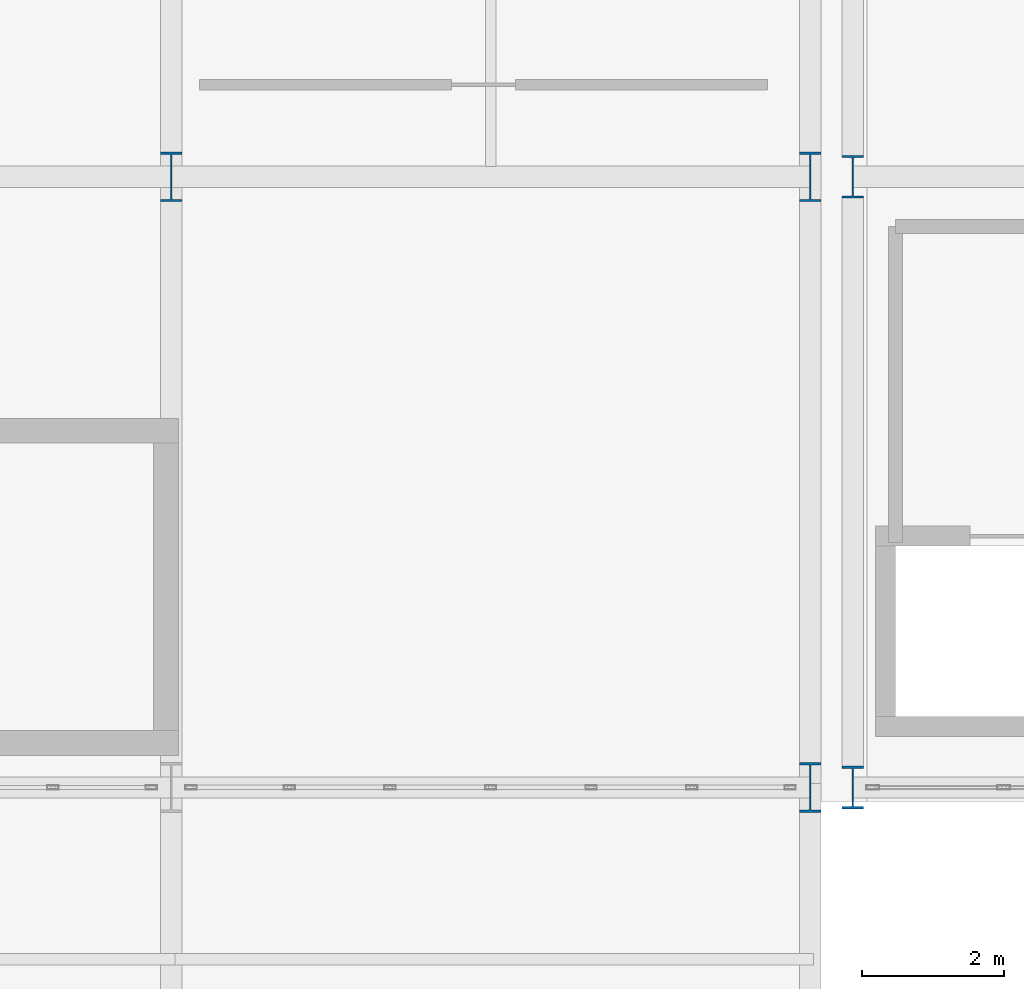
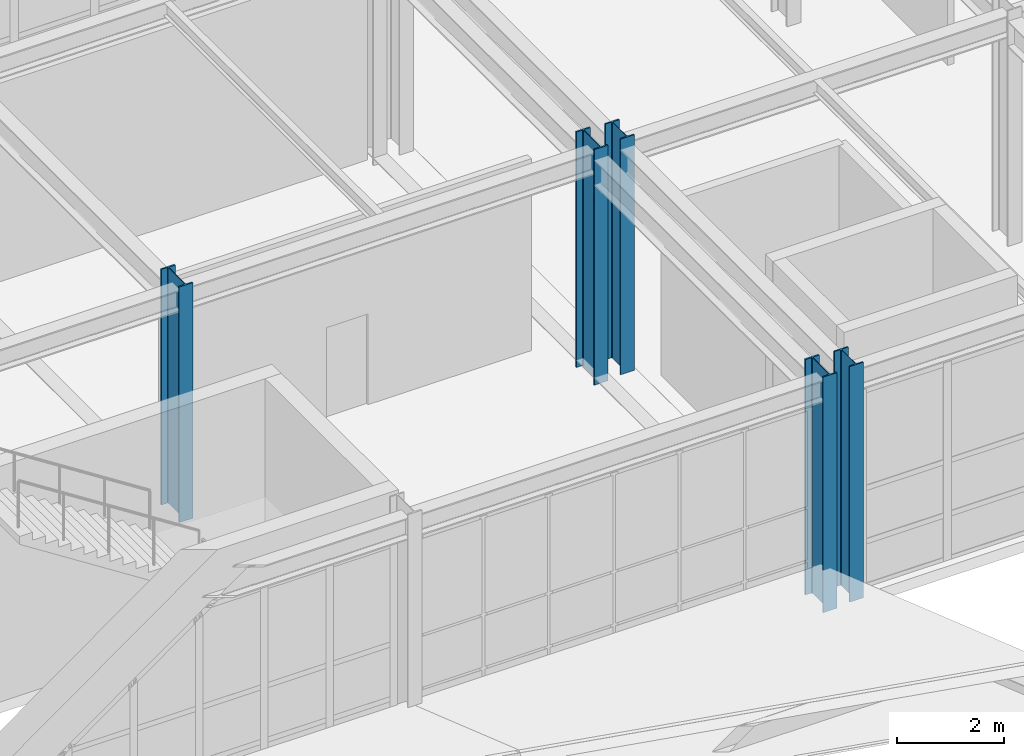
# One storey, part 8 of 239: 5 columns.
"""IFC4 building model written with IfcOpenShell, lengths in metres."""

from ifc_helpers import new_model, si_unit, direction, frame, origin, origin_2d, place, context, subcontext, project, spatial, i_section, extrude, material, material_profile, profile_set, type_object, element, save


model = new_model("IFC4")

# Units and contexts
model_context = context("Model", 3, precision=1e-05, world=origin(), true_north=direction((0.0, 1.0)))
body_context = subcontext(model_context, "Body", "Model", "MODEL_VIEW")
ifc_project = project(units=[si_unit("LENGTHUNIT", "METRE"), si_unit("AREAUNIT", "SQUARE_METRE"), si_unit("VOLUMEUNIT", "CUBIC_METRE"), si_unit("PLANEANGLEUNIT", "RADIAN"), si_unit("MASSUNIT", "GRAM", prefix="KILO")], contexts=[model_context])

# Site, building, storey
site_placement = place(None, origin())
site = spatial("IfcSite", under=ifc_project, at=site_placement, CompositionType="ELEMENT")
building_placement = place(site_placement, origin())
building = spatial("IfcBuilding", under=site, at=building_placement, Name="Kaldris Quays Convention Centre", CompositionType="ELEMENT")
storey_placement = place(building_placement, frame((0.0, 0.0, 11.39990234375)))
storey = spatial("IfcBuildingStorey", under=building, at=storey_placement, Name="L02", CompositionType="ELEMENT", Elevation=11.39990234375)

# Columns
ifc_material = material(Name="Steel S355J2", Category="steel")
ifc_material_profile_1 = material_profile(ifc_material, i_section(OverallWidth=0.300048828125, OverallDepth=0.699951171875, WebThickness=0.01708984375, FlangeThickness=0.031982421875, FilletRadius=0.027099609375, at=origin_2d()), Name="HEB 700")
ifc_profile_set_1 = profile_set([ifc_material_profile_1], Name="Steel S355J2")
column_type_1 = type_object("IfcColumnType", Name="STRUCTURAL COLUMN CL05", PredefinedType="COLUMN", material=ifc_profile_set_1)
for number, where, z_axis, x_axis, name in (
    (1, (137.0, 46.60009765625, 0.0), (0.0, 0.0, 1.0), (1.0, 0.0, 0.0), "L02 V4 Column CL05 (137.00, 46.60)"),
    (2, (146.0, 38.0, 0.0), (0.0, 0.0, 1.0), (1.0, 0.0, 0.0), "L02 V4 Column CL05 (146.00, 38.00)"),
    (3, (146.0, 46.60009765625, 0.0), (0.0, 0.0, 1.0), (1.0, 0.0, 0.0), "L02 V4 Column CL05 (146.00, 46.60)"),
):
    element("IfcColumn", number, at=place(storey_placement, frame(where, z_axis=z_axis, x_axis=x_axis)), inside=storey, type_object=column_type_1, Name=name, PredefinedType="COLUMN", context=body_context, shape_type="SweptSolid", body=[
        extrude(i_section(OverallWidth=0.300048828125, OverallDepth=0.699951171875, WebThickness=0.01708984375, FlangeThickness=0.031982421875, FilletRadius=0.027099609375, at=origin_2d()), origin(), (0.0, 0.0, 1.0), 5.400146484375),
    ])
ifc_material_profile_2 = material_profile(ifc_material, i_section(OverallWidth=0.300048828125, OverallDepth=0.60009765625, WebThickness=0.015380859375, FlangeThickness=0.030029296875, FilletRadius=0.027099609375, at=origin_2d()), Name="HEB 600")
ifc_profile_set_2 = profile_set([ifc_material_profile_2], Name="Steel S355J2")
column_type_2 = type_object("IfcColumnType", Name="STRUCTURAL COLUMN CL06", PredefinedType="COLUMN", material=ifc_profile_set_2)
for number, where, z_axis, x_axis, name in (
    (4, (146.60009765625, 38.0, 0.0), (0.0, 0.0, 1.0), (1.0, 0.0, 0.0), "L02 V4 Column CL06 (146.60, 38.00)"),
    (5, (146.60009765625, 46.60009765625, 0.0), (0.0, 0.0, 1.0), (1.0, 0.0, 0.0), "L02 V4 Column CL06 (146.60, 46.60)"),
):
    element("IfcColumn", number, at=place(storey_placement, frame(where, z_axis=z_axis, x_axis=x_axis)), inside=storey, type_object=column_type_2, Name=name, PredefinedType="COLUMN", context=body_context, shape_type="SweptSolid", body=[
        extrude(i_section(OverallWidth=0.300048828125, OverallDepth=0.60009765625, WebThickness=0.015380859375, FlangeThickness=0.030029296875, FilletRadius=0.027099609375, at=origin_2d()), origin(), (0.0, 0.0, 1.0), 5.400146484375),
    ])

save(model, "model.ifc")
